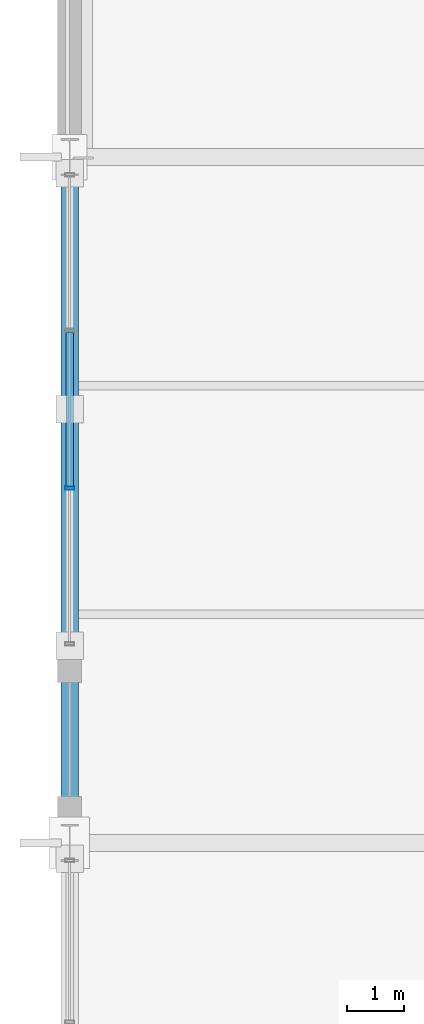
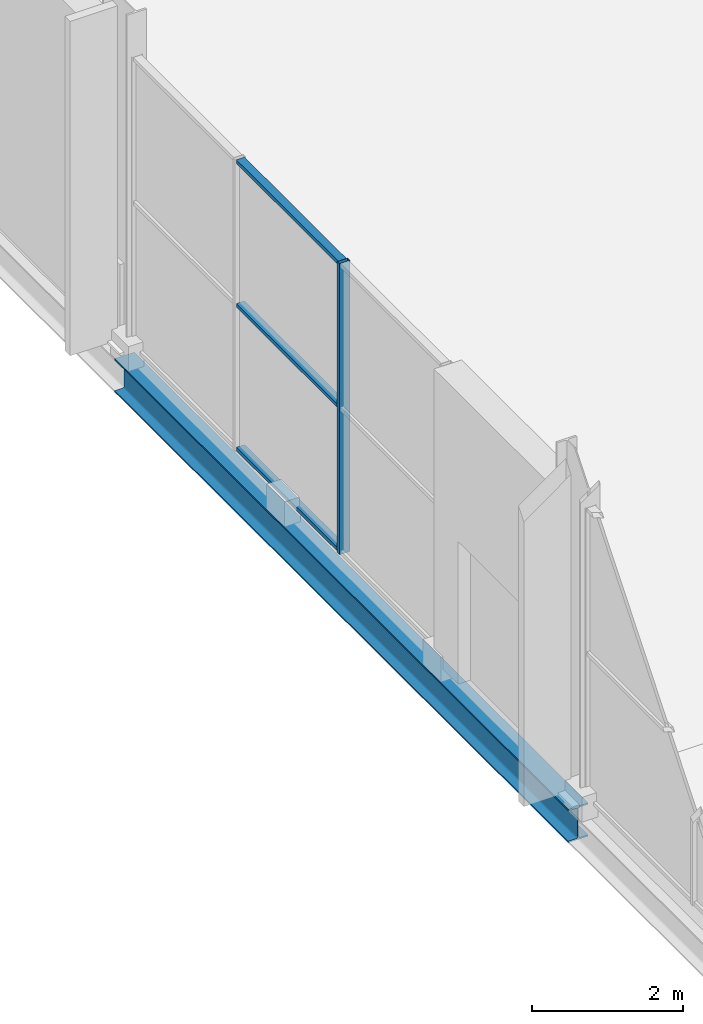
# One storey, part 89 of 196: 4 members, 1 beam, 1 element without a shape of its own.
"""IFC4 building model written with IfcOpenShell, lengths in metres."""

from ifc_helpers import new_model, si_unit, direction, frame, origin, origin_2d, place, context, subcontext, project, spatial, hollow_rectangle, i_section, extrude, material, material_profile, profile_set, type_object, element, aggregate, save


model = new_model("IFC4")

# Units and contexts
model_context = context("Model", 3, precision=1e-05, world=origin(), true_north=direction((0.0, 1.0)))
body_context = subcontext(model_context, "Body", "Model", "MODEL_VIEW")
ifc_project = project(units=[si_unit("LENGTHUNIT", "METRE"), si_unit("AREAUNIT", "SQUARE_METRE"), si_unit("VOLUMEUNIT", "CUBIC_METRE"), si_unit("PLANEANGLEUNIT", "RADIAN"), si_unit("MASSUNIT", "GRAM", prefix="KILO")], contexts=[model_context])

# Site, building, storey
site_placement = place(None, origin())
site = spatial("IfcSite", under=ifc_project, at=site_placement, CompositionType="ELEMENT")
building_placement = place(site_placement, origin())
building = spatial("IfcBuilding", under=site, at=building_placement, Name="Merenkruunu Market Hall", CompositionType="ELEMENT")
storey_placement = place(building_placement, origin())
storey = spatial("IfcBuildingStorey", under=building, at=storey_placement, Name="L00", CompositionType="ELEMENT", Elevation=0.0)

# Curtain wall, members
ifc_material_1 = material(Name="Powder-coated aluminium", Category="aluminium")
curtain_wall_type = type_object("IfcCurtainWallType", Name="Glazed Curtain Wall CW01", PredefinedType="USERDEFINED", material=ifc_material_1)
curtain_wall_placement = place(storey_placement, origin())
curtain_wall = element("IfcCurtainWall", 1, at=curtain_wall_placement, inside=storey, type_object=curtain_wall_type, Name="CW-L00-CWM01-013", ObjectType="GLAZED_FACADE", PredefinedType="USERDEFINED")
ifc_material_profile_1 = material_profile(ifc_material_1, hollow_rectangle(XDim=0.06005859375, YDim=0.159912109375, WallThickness=0.00390625, at=origin_2d()), Name="ALU 60x160x4")
ifc_profile_set_1 = profile_set([ifc_material_profile_1], Name="Powder-coated aluminium")
member_type_1 = type_object("IfcMemberType", Name="Curtain Wall Mullion CWM01", PredefinedType="MULLION", material=ifc_profile_set_1)
member_1_placement = place(storey_placement, frame((0.0, 69.806640625, 0.0), z_axis=(0.0, 0.0, 1.0), x_axis=(0.0, 1.0, 0.0)))
member_1 = element("IfcMember", 2, at=member_1_placement, type_object=member_type_1, Name="CW01 mullion 2", PredefinedType="MULLION", context=body_context, shape_type="SweptSolid", body=[
    extrude(hollow_rectangle(XDim=0.06005859375, YDim=0.159912109375, WallThickness=0.00390625, at=origin_2d()), origin(), (0.0, 0.0, 1.0), 4.699951171875),
])
ifc_material_profile_2 = material_profile(ifc_material_1, hollow_rectangle(XDim=0.06005859375, YDim=0.125, WallThickness=0.00390625, at=origin_2d()), Name="ALU 60x125x4")
ifc_profile_set_2 = profile_set([ifc_material_profile_2], Name="Powder-coated aluminium")
member_type_2 = type_object("IfcMemberType", Name="Curtain Wall Transom CWT01", PredefinedType="USERDEFINED", material=ifc_profile_set_2)
member_2_placement = place(storey_placement, frame((0.0, 69.836669921875, 0.030029296875), z_axis=(0.0, 1.0, 0.0), x_axis=(0.0, 0.0, 1.0)))
member_2 = element("IfcMember", 3, at=member_2_placement, type_object=member_type_2, Name="CW01 transom 2.1", ObjectType="TRANSOM", PredefinedType="USERDEFINED", context=body_context, shape_type="SweptSolid", body=[
    extrude(hollow_rectangle(XDim=0.06005859375, YDim=0.125, WallThickness=0.00390625, at=origin_2d()), origin(), (0.0, 0.0, 1.0), 2.69677734375),
])
member_3_placement = place(storey_placement, frame((0.0, 69.836669921875, 2.35009765625), z_axis=(0.0, 1.0, 0.0), x_axis=(0.0, 0.0, 1.0)))
member_3 = element("IfcMember", 4, at=member_3_placement, type_object=member_type_2, Name="CW01 transom 2.2", ObjectType="TRANSOM", PredefinedType="USERDEFINED", context=body_context, shape_type="SweptSolid", body=[
    extrude(hollow_rectangle(XDim=0.06005859375, YDim=0.125, WallThickness=0.00390625, at=origin_2d()), origin(), (0.0, 0.0, 1.0), 2.69677734375),
])
member_4_placement = place(storey_placement, frame((0.0, 69.836669921875, 4.669921875), z_axis=(0.0, 1.0, 0.0), x_axis=(0.0, 0.0, 1.0)))
member_4 = element("IfcMember", 5, at=member_4_placement, type_object=member_type_2, Name="CW01 transom 2.3", ObjectType="TRANSOM", PredefinedType="USERDEFINED", context=body_context, shape_type="SweptSolid", body=[
    extrude(hollow_rectangle(XDim=0.06005859375, YDim=0.125, WallThickness=0.00390625, at=origin_2d()), origin(), (0.0, 0.0, 1.0), 2.69677734375),
])
aggregate(curtain_wall, [member_1, member_2, member_3, member_4])

# Beam
ifc_material_2 = material(Name="Steel S355J2", Category="steel")
ifc_material_profile_3 = material_profile(ifc_material_2, i_section(OverallWidth=0.300048828125, OverallDepth=0.5400390625, WebThickness=0.012451171875, FlangeThickness=0.02392578125, FilletRadius=0.027099609375, at=origin_2d()), Name="HEA 550")
ifc_profile_set_3 = profile_set([ifc_material_profile_3], Name="Steel S355J2")
beam_type = type_object("IfcBeamType", Name="Primary Floor Girder B06", PredefinedType="BEAM", material=ifc_profile_set_3)
beam_placement = place(storey_placement, frame((0.0, 63.60009765625, -0.610107421875), z_axis=(0.0, 1.0, 0.0), x_axis=(-1.0, 0.0, 0.0)))
element("IfcBeam", 6, at=beam_placement, inside=storey, type_object=beam_type, Name="BM-L00-B06-0141", PredefinedType="BEAM", context=body_context, shape_type="SweptSolid", body=[
    extrude(i_section(OverallWidth=0.300048828125, OverallDepth=0.5400390625, WebThickness=0.012451171875, FlangeThickness=0.02392578125, FilletRadius=0.027099609375, at=origin_2d()), origin(), (0.0, 0.0, 1.0), 12.0),
])

save(model, "model.ifc")
